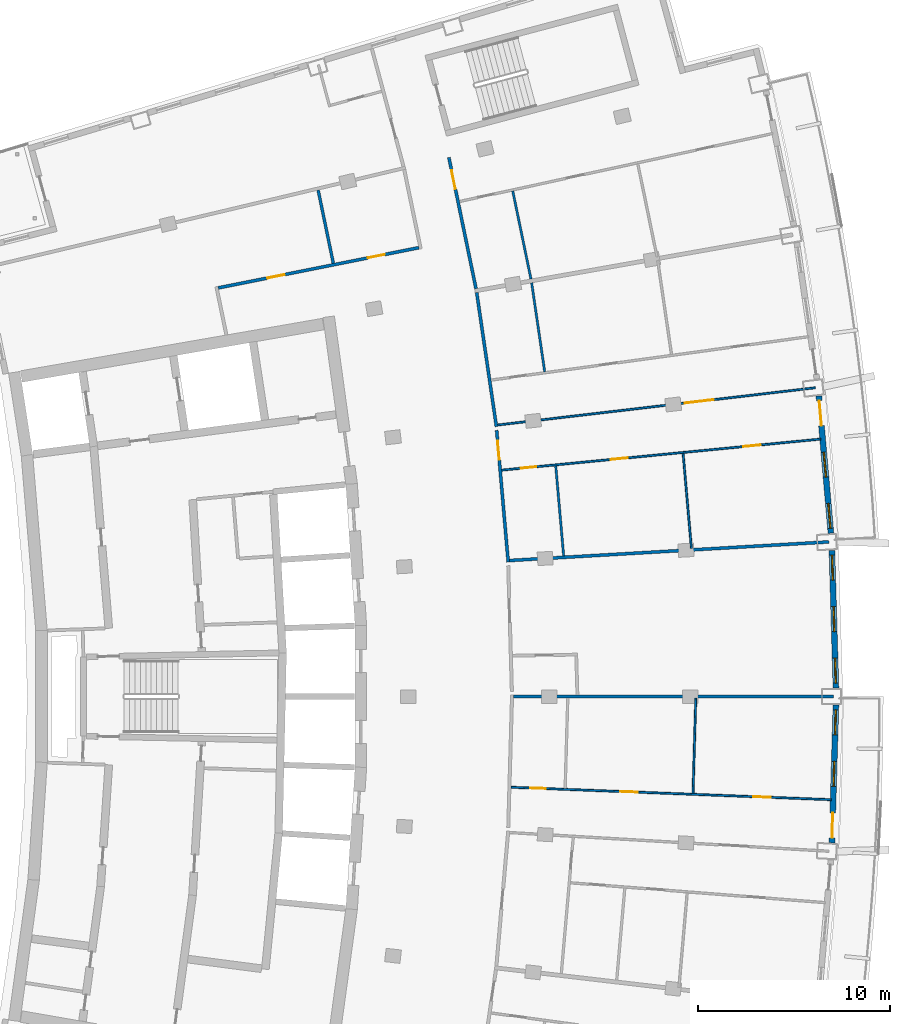
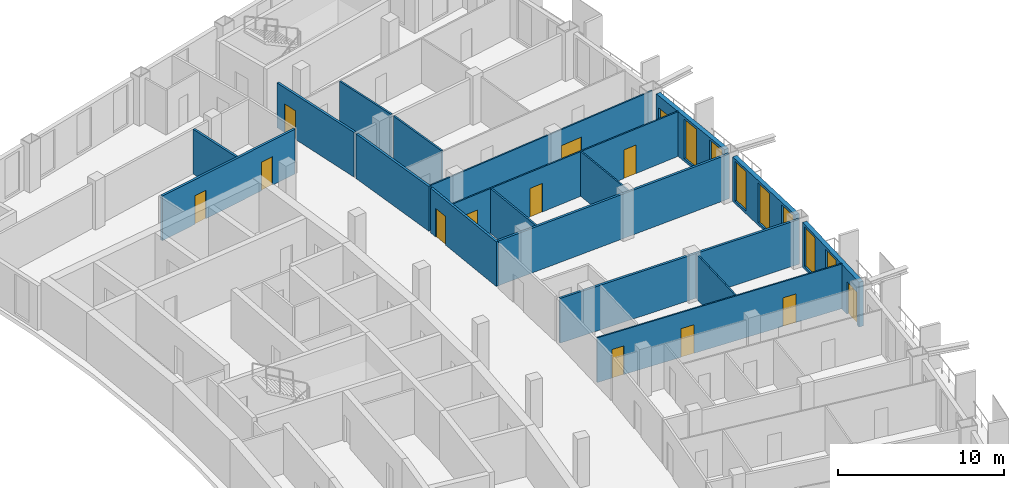
# One storey, part 13 of 17: 18 walls, 13 doors, 7 windows, 20 openings.
"""IFC4 building model written with IfcOpenShell, lengths in metres."""

from ifc_helpers import new_model, si_unit, direction, frame, frame_2d, origin, place, context, subcontext, project, spatial, rectangle, extrude, material, layer, layer_set, type_object, element, fill, save


model = new_model("IFC4")

# Units and contexts
model_context = context("Model", 3, precision=1e-05, world=origin(), true_north=direction((0.0, 1.0)))
body_context = subcontext(model_context, "Body", "Model", "MODEL_VIEW")
ifc_project = project(units=[si_unit("LENGTHUNIT", "METRE"), si_unit("AREAUNIT", "SQUARE_METRE"), si_unit("VOLUMEUNIT", "CUBIC_METRE"), si_unit("PLANEANGLEUNIT", "RADIAN"), si_unit("MASSUNIT", "GRAM", prefix="KILO")], contexts=[model_context])

# Site, building, storey
site_placement = place(None, origin())
site = spatial("IfcSite", under=ifc_project, at=site_placement, CompositionType="ELEMENT")
building_placement = place(site_placement, origin())
building = spatial("IfcBuilding", under=site, at=building_placement, Name="Alderwake Tower", CompositionType="ELEMENT")
storey_placement = place(building_placement, frame((0.0, 0.0, 214.39990234375)))
storey = spatial("IfcBuildingStorey", under=building, at=storey_placement, Name="L53", CompositionType="ELEMENT", Elevation=214.39990234375)

# Wall, openings, doors
ifc_material_1 = material(Name="Gypsum board on metal studs, rated")
ifc_layer_1 = layer(ifc_material_1, 0.159912109375)
ifc_layer_set_1 = layer_set([ifc_layer_1], Name="Corridor wall 160")
wall_type_1 = type_object("IfcWallType", Name="Corridor wall 160", PredefinedType="PARTITIONING", material=ifc_layer_set_1)
wall_1_placement = place(storey_placement, frame((25.926513671875, 82.24267578125, 0.0), z_axis=(0.0, 0.0, 1.0), x_axis=(0.98046310274, 0.196703086316, 0.0)))
wall_1 = element("IfcWall", 1, at=wall_1_placement, inside=storey, type_object=wall_type_1, Name="WL/L53/W17", PredefinedType="PARTITIONING", context=body_context, shape_type="SweptSolid", body=[
    extrude(rectangle(XDim=10.637939453125, YDim=0.159912109375, at=frame_2d((5.31884765625, 0.0))), origin(), (0.0, 0.0, 1.0), 3.280029296875),
])
opening_1_placement = place(wall_1_placement, frame((2.609130859375, 0.0, 0.0)))
opening_1 = element("IfcOpeningElement", 2, at=opening_1_placement, cuts=wall_1, Name="Opening R15-SBN1", PredefinedType="OPENING", context=body_context, shape_type="SweptSolid", body=[
    extrude(rectangle(XDim=0.89990234375, YDim=2.10009765625, at=frame_2d((0.449951171875, 1.050048828125))), frame((0.0, 0.08984375, 0.0), z_axis=(0.0, -1.0, 0.0), x_axis=(1.0, 0.0, 0.0)), (0.0, 0.0, 1.0), 0.179931640625),
])
opening_2_placement = place(wall_1_placement, frame((7.927978515625, 0.0, 0.0)))
opening_2 = element("IfcOpeningElement", 3, at=opening_2_placement, cuts=wall_1, Name="Opening R15-SBN2", PredefinedType="OPENING", context=body_context, shape_type="SweptSolid", body=[
    extrude(rectangle(XDim=0.89990234375, YDim=2.10009765625, at=frame_2d((0.449951171875, 1.050048828125))), frame((0.0, 0.08984375, 0.0), z_axis=(0.0, -1.0, 0.0), x_axis=(1.0, 0.0, 0.0)), (0.0, 0.0, 1.0), 0.179931640625),
])
ifc_material_2 = material(Name="Painted timber leaf", Category="wood")
door_type_1 = type_object("IfcDoorType", Name="Room door 900", OperationType="SINGLE_SWING_LEFT", PredefinedType="DOOR", material=ifc_material_2)
door_1_placement = place(opening_1_placement, origin())
door_1 = element("IfcDoor", 4, at=door_1_placement, inside=storey, type_object=door_type_1, Name="DR/L53/SBN1", OperationType="SINGLE_SWING_LEFT", OverallHeight=2.10009765625, OverallWidth=0.89990234375, PredefinedType="DOOR", context=body_context, shape_type="SweptSolid", body=[
    extrude(rectangle(XDim=0.89990234375, YDim=2.10009765625, at=frame_2d((0.449951171875, 1.050048828125))), frame((0.0, 0.02490234375, 0.0), z_axis=(0.0, -1.0, 0.0), x_axis=(1.0, 0.0, 0.0)), (0.0, 0.0, 1.0), 0.050048828125),
])
fill(opening_1, door_1)
door_2_placement = place(opening_2_placement, origin())
door_2 = element("IfcDoor", 5, at=door_2_placement, inside=storey, type_object=door_type_1, Name="DR/L53/SBN2", OperationType="SINGLE_SWING_LEFT", OverallHeight=2.10009765625, OverallWidth=0.89990234375, PredefinedType="DOOR", context=body_context, shape_type="SweptSolid", body=[
    extrude(rectangle(XDim=0.89990234375, YDim=2.10009765625, at=frame_2d((0.449951171875, 1.050048828125))), frame((0.0, 0.02490234375, 0.0), z_axis=(0.0, -1.0, 0.0), x_axis=(1.0, 0.0, 0.0)), (0.0, 0.0, 1.0), 0.050048828125),
])
fill(opening_2, door_2)

# Wall, opening, door
wall_2_placement = place(storey_placement, frame((37.9169921875, 89.02490234375, 0.0), z_axis=(0.0, 0.0, 1.0), x_axis=(0.202416809878, -0.97929946139, 0.0)))
wall_2 = element("IfcWall", 6, at=wall_2_placement, inside=storey, type_object=wall_type_1, Name="WL/L53/W20", PredefinedType="PARTITIONING", context=body_context, shape_type="SweptSolid", body=[
    extrude(rectangle(XDim=6.97021484375, YDim=0.159912109375, at=frame_2d((3.485107421875, 0.0))), origin(), (0.0, 0.0, 1.0), 3.280029296875),
])
opening_3_placement = place(wall_2_placement, frame((0.6787109375, 0.0, 0.0)))
opening_3 = element("IfcOpeningElement", 7, at=opening_3_placement, cuts=wall_2, Name="Opening R15-U07.2", PredefinedType="OPENING", context=body_context, shape_type="SweptSolid", body=[
    extrude(rectangle(XDim=1.0, YDim=2.10009765625, at=frame_2d((0.5, 1.050048828125))), frame((0.0, 0.08984375, 0.0), z_axis=(0.0, -1.0, 0.0), x_axis=(1.0, 0.0, 0.0)), (0.0, 0.0, 1.0), 0.179931640625),
])
ifc_material_3 = material(Name="Solid timber leaf in steel frame", Category="steel")
door_type_2 = type_object("IfcDoorType", Name="Flat entrance door 1000 fire-rated", OperationType="SINGLE_SWING_LEFT", PredefinedType="DOOR", material=ifc_material_3)
door_3_placement = place(opening_3_placement, origin())
door_3 = element("IfcDoor", 8, at=door_3_placement, inside=storey, type_object=door_type_2, Name="DR/L53/U07.2", OperationType="SINGLE_SWING_LEFT", OverallHeight=2.10009765625, OverallWidth=1.0, PredefinedType="DOOR", context=body_context, shape_type="SweptSolid", body=[
    extrude(rectangle(XDim=1.0, YDim=2.10009765625, at=frame_2d((0.5, 1.050048828125))), frame((0.0, 0.02490234375, 0.0), z_axis=(0.0, -1.0, 0.0), x_axis=(1.0, 0.0, 0.0)), (0.0, 0.0, 1.0), 0.050048828125),
])
fill(opening_3, door_3)

# Wall
wall_3_placement = place(storey_placement, frame((40.388671875, 75.02880859375, 0.0), z_axis=(0.0, 0.0, 1.0), x_axis=(-0.145585733575, 0.98934563939, 0.0)))
element("IfcWall", 9, at=wall_3_placement, inside=storey, type_object=wall_type_1, Name="WL/L53/W22", PredefinedType="PARTITIONING", context=body_context, shape_type="SweptSolid", body=[
    extrude(rectangle(XDim=7.04833984375, YDim=0.159912109375, at=frame_2d((3.524169921875, 0.0))), origin(), (0.0, 0.0, 1.0), 3.280029296875),
])

# Wall, opening, door
wall_4_placement = place(storey_placement, frame((40.400390625, 74.84228515625, 0.0), z_axis=(0.0, 0.0, 1.0), x_axis=(0.087419573149, -0.996171580718, 0.0)))
wall_4 = element("IfcWall", 10, at=wall_4_placement, inside=storey, type_object=wall_type_1, Name="WL/L53/W24", PredefinedType="PARTITIONING", context=body_context, shape_type="SweptSolid", body=[
    extrude(rectangle(XDim=6.88134765625, YDim=0.159912109375, at=frame_2d((3.440673828125, 0.0))), origin(), (0.0, 0.0, 1.0), 3.280029296875),
])
opening_4_placement = place(wall_4_placement, frame((0.544921875, 0.0, 0.0)))
opening_4 = element("IfcOpeningElement", 11, at=opening_4_placement, cuts=wall_4, Name="Opening R15-U06.2", PredefinedType="OPENING", context=body_context, shape_type="SweptSolid", body=[
    extrude(rectangle(XDim=1.0, YDim=2.10009765625, at=frame_2d((0.5, 1.050048828125))), frame((0.0, 0.08984375, 0.0), z_axis=(0.0, -1.0, 0.0), x_axis=(1.0, 0.0, 0.0)), (0.0, 0.0, 1.0), 0.179931640625),
])
door_4_placement = place(opening_4_placement, origin())
door_4 = element("IfcDoor", 12, at=door_4_placement, inside=storey, type_object=door_type_2, Name="DR/L53/U06.2", OperationType="SINGLE_SWING_LEFT", OverallHeight=2.10009765625, OverallWidth=1.0, PredefinedType="DOOR", context=body_context, shape_type="SweptSolid", body=[
    extrude(rectangle(XDim=1.0, YDim=2.10009765625, at=frame_2d((0.5, 1.050048828125))), frame((0.0, 0.02490234375, 0.0), z_axis=(0.0, -1.0, 0.0), x_axis=(1.0, 0.0, 0.0)), (0.0, 0.0, 1.0), 0.050048828125),
])
fill(opening_4, door_4)

# Walls
wall_5_placement = place(storey_placement, frame((57.666015625, 69.0390625, 0.0), z_axis=(0.0, 0.0, 1.0), x_axis=(-0.998304783691, -0.058202739276, 0.0)))
element("IfcWall", 13, at=wall_5_placement, inside=storey, type_object=wall_type_1, Name="WL/L53/W26", PredefinedType="PARTITIONING", context=body_context, shape_type="SweptSolid", body=[
    extrude(rectangle(XDim=16.619140625, YDim=0.159912109375, at=frame_2d((8.3095703125, 0.0))), origin(), (0.0, 0.0, 1.0), 3.280029296875),
])
wall_6_placement = place(storey_placement, frame((57.89990234375, 60.9990234375, 0.0), z_axis=(0.0, 0.0, 1.0), x_axis=(-1.0, 0.0, 0.0)))
element("IfcWall", 14, at=wall_6_placement, inside=storey, type_object=wall_type_1, Name="WL/L53/W27", PredefinedType="PARTITIONING", context=body_context, shape_type="SweptSolid", body=[
    extrude(rectangle(XDim=16.620849609375, YDim=0.159912109375, at=frame_2d((8.310546875, 0.0))), origin(), (0.0, 0.0, 1.0), 3.280029296875),
])

# Wall, openings, door, windows
ifc_material_4 = material(Name="Precast concrete C50/60 spandrel panel", Category="concrete")
ifc_layer_2 = layer(ifc_material_4, 0.300048828125)
ifc_layer_set_2 = layer_set([ifc_layer_2], Name="External wall EW1 Precast concrete C50/60 spandrel")
wall_type_2 = type_object("IfcWallType", Name="External wall EW1 Precast concrete C50/60 spandrel", PredefinedType="SOLIDWALL", material=ifc_layer_set_2)
wall_7_placement = place(storey_placement, frame((57.828125, 53.39892578125, 0.0), z_axis=(0.0, 0.0, 1.0), x_axis=(0.029166481993, 0.999574567668, 0.0)))
wall_7 = element("IfcWall", 15, at=wall_7_placement, inside=storey, type_object=wall_type_2, Name="External wall 15", PredefinedType="SOLIDWALL", context=body_context, shape_type="SweptSolid", body=[
    extrude(rectangle(XDim=7.15673828125, YDim=0.300048828125, at=frame_2d((3.578369140625, 0.0))), origin(), (0.0, 0.0, 1.0), 3.280029296875),
])
opening_5_placement = place(wall_7_placement, frame((0.24951171875, 0.0, 0.0)))
opening_5 = element("IfcOpeningElement", 16, at=opening_5_placement, cuts=wall_7, Name="Opening D05", PredefinedType="OPENING", context=body_context, shape_type="SweptSolid", body=[
    extrude(rectangle(XDim=1.300048828125, YDim=2.39990234375, at=frame_2d((0.64990234375, 1.199951171875))), frame((0.0, 0.159912109375, 0.0), z_axis=(0.0, -1.0, 0.0), x_axis=(1.0, 0.0, 0.0)), (0.0, 0.0, 1.0), 0.320068359375),
])
opening_6_placement = place(wall_7_placement, frame((2.928466796875, 0.0, 0.199951171875)))
opening_6 = element("IfcOpeningElement", 17, at=opening_6_placement, cuts=wall_7, Name="Opening W1", PredefinedType="OPENING", context=body_context, shape_type="SweptSolid", body=[
    extrude(rectangle(XDim=1.300048828125, YDim=2.89990234375, at=frame_2d((0.64990234375, 1.449951171875))), frame((0.0, 0.159912109375, 0.0), z_axis=(0.0, -1.0, 0.0), x_axis=(1.0, 0.0, 0.0)), (0.0, 0.0, 1.0), 0.320068359375),
])
opening_7_placement = place(wall_7_placement, frame((5.607666015625, 0.0, 0.199951171875)))
opening_7 = element("IfcOpeningElement", 18, at=opening_7_placement, cuts=wall_7, Name="Opening W1", PredefinedType="OPENING", context=body_context, shape_type="SweptSolid", body=[
    extrude(rectangle(XDim=1.300048828125, YDim=2.89990234375, at=frame_2d((0.64990234375, 1.449951171875))), frame((0.0, 0.159912109375, 0.0), z_axis=(0.0, -1.0, 0.0), x_axis=(1.0, 0.0, 0.0)), (0.0, 0.0, 1.0), 0.320068359375),
])
ifc_material_5 = material(Name="Bronze tinted glass in aluminium frame", Category="aluminium")
door_type_3 = type_object("IfcDoorType", Name="Balcony door BD sliding", OperationType="SLIDING_TO_LEFT", PredefinedType="DOOR", material=ifc_material_5)
door_5_placement = place(opening_5_placement, origin())
door_5 = element("IfcDoor", 19, at=door_5_placement, inside=storey, type_object=door_type_3, Name="Door D05", OperationType="SLIDING_TO_LEFT", OverallHeight=2.39990234375, OverallWidth=1.300048828125, PredefinedType="DOOR", context=body_context, shape_type="SweptSolid", body=[
    extrude(rectangle(XDim=1.300048828125, YDim=2.39990234375, at=frame_2d((0.64990234375, 1.199951171875))), frame((0.0, 0.02490234375, 0.0), z_axis=(0.0, -1.0, 0.0), x_axis=(1.0, 0.0, 0.0)), (0.0, 0.0, 1.0), 0.050048828125),
])
fill(opening_5, door_5)
ifc_material_6 = material(Name="Bronze tinted glass in aluminium frame", Category="aluminium")
window_type = type_object("IfcWindowType", Name="Window W1 tall fixed and vent", PartitioningType="DOUBLE_PANEL_VERTICAL", PredefinedType="WINDOW", material=ifc_material_6)
window_1_placement = place(opening_6_placement, origin())
window_1 = element("IfcWindow", 20, at=window_1_placement, inside=storey, type_object=window_type, Name="Window W1 tall fixed and vent", OverallHeight=2.89990234375, OverallWidth=1.300048828125, PartitioningType="DOUBLE_PANEL_VERTICAL", PredefinedType="WINDOW", context=body_context, shape_type="SweptSolid", body=[
    extrude(rectangle(XDim=1.300048828125, YDim=2.89990234375, at=frame_2d((0.64990234375, 1.449951171875))), frame((0.0, 0.030029296875, 0.0), z_axis=(0.0, -1.0, 0.0), x_axis=(1.0, 0.0, 0.0)), (0.0, 0.0, 1.0), 0.06005859375),
])
fill(opening_6, window_1)
window_2_placement = place(opening_7_placement, origin())
window_2 = element("IfcWindow", 21, at=window_2_placement, inside=storey, type_object=window_type, Name="Window W1 tall fixed and vent", OverallHeight=2.89990234375, OverallWidth=1.300048828125, PartitioningType="DOUBLE_PANEL_VERTICAL", PredefinedType="WINDOW", context=body_context, shape_type="SweptSolid", body=[
    extrude(rectangle(XDim=1.300048828125, YDim=2.89990234375, at=frame_2d((0.64990234375, 1.449951171875))), frame((0.0, 0.030029296875, 0.0), z_axis=(0.0, -1.0, 0.0), x_axis=(1.0, 0.0, 0.0)), (0.0, 0.0, 1.0), 0.06005859375),
])
fill(opening_7, window_2)

# Wall, openings, windows
wall_8_placement = place(storey_placement, frame((58.036865234375, 61.447265625, 0.0), z_axis=(0.0, 0.0, 1.0), x_axis=(-0.029166481993, 0.999574567668, 0.0)))
wall_8 = element("IfcWall", 22, at=wall_8_placement, inside=storey, type_object=wall_type_2, Name="External wall 16", PredefinedType="SOLIDWALL", context=body_context, shape_type="SweptSolid", body=[
    extrude(rectangle(XDim=7.15673828125, YDim=0.300048828125, at=frame_2d((3.578369140625, 0.0))), origin(), (0.0, 0.0, 1.0), 3.280029296875),
])
opening_8_placement = place(wall_8_placement, frame((0.24951171875, 0.0, 0.199951171875)))
opening_8 = element("IfcOpeningElement", 23, at=opening_8_placement, cuts=wall_8, Name="Opening W1", PredefinedType="OPENING", context=body_context, shape_type="SweptSolid", body=[
    extrude(rectangle(XDim=1.300048828125, YDim=2.89990234375, at=frame_2d((0.64990234375, 1.449951171875))), frame((0.0, 0.159912109375, 0.0), z_axis=(0.0, -1.0, 0.0), x_axis=(1.0, 0.0, 0.0)), (0.0, 0.0, 1.0), 0.320068359375),
])
opening_9_placement = place(wall_8_placement, frame((2.928466796875, 0.0, 0.199951171875)))
opening_9 = element("IfcOpeningElement", 24, at=opening_9_placement, cuts=wall_8, Name="Opening W1", PredefinedType="OPENING", context=body_context, shape_type="SweptSolid", body=[
    extrude(rectangle(XDim=1.300048828125, YDim=2.89990234375, at=frame_2d((0.64990234375, 1.449951171875))), frame((0.0, 0.159912109375, 0.0), z_axis=(0.0, -1.0, 0.0), x_axis=(1.0, 0.0, 0.0)), (0.0, 0.0, 1.0), 0.320068359375),
])
opening_10_placement = place(wall_8_placement, frame((5.607666015625, 0.0, 0.199951171875)))
opening_10 = element("IfcOpeningElement", 25, at=opening_10_placement, cuts=wall_8, Name="Opening W1", PredefinedType="OPENING", context=body_context, shape_type="SweptSolid", body=[
    extrude(rectangle(XDim=1.300048828125, YDim=2.89990234375, at=frame_2d((0.64990234375, 1.449951171875))), frame((0.0, 0.159912109375, 0.0), z_axis=(0.0, -1.0, 0.0), x_axis=(1.0, 0.0, 0.0)), (0.0, 0.0, 1.0), 0.320068359375),
])
window_3_placement = place(opening_8_placement, origin())
window_3 = element("IfcWindow", 26, at=window_3_placement, inside=storey, type_object=window_type, Name="Window W1 tall fixed and vent", OverallHeight=2.89990234375, OverallWidth=1.300048828125, PartitioningType="DOUBLE_PANEL_VERTICAL", PredefinedType="WINDOW", context=body_context, shape_type="SweptSolid", body=[
    extrude(rectangle(XDim=1.300048828125, YDim=2.89990234375, at=frame_2d((0.64990234375, 1.449951171875))), frame((0.0, 0.030029296875, 0.0), z_axis=(0.0, -1.0, 0.0), x_axis=(1.0, 0.0, 0.0)), (0.0, 0.0, 1.0), 0.06005859375),
])
fill(opening_8, window_3)
window_4_placement = place(opening_9_placement, origin())
window_4 = element("IfcWindow", 27, at=window_4_placement, inside=storey, type_object=window_type, Name="Window W1 tall fixed and vent", OverallHeight=2.89990234375, OverallWidth=1.300048828125, PartitioningType="DOUBLE_PANEL_VERTICAL", PredefinedType="WINDOW", context=body_context, shape_type="SweptSolid", body=[
    extrude(rectangle(XDim=1.300048828125, YDim=2.89990234375, at=frame_2d((0.64990234375, 1.449951171875))), frame((0.0, 0.030029296875, 0.0), z_axis=(0.0, -1.0, 0.0), x_axis=(1.0, 0.0, 0.0)), (0.0, 0.0, 1.0), 0.06005859375),
])
fill(opening_9, window_4)
window_5_placement = place(opening_10_placement, origin())
window_5 = element("IfcWindow", 28, at=window_5_placement, inside=storey, type_object=window_type, Name="Window W1 tall fixed and vent", OverallHeight=2.89990234375, OverallWidth=1.300048828125, PartitioningType="DOUBLE_PANEL_VERTICAL", PredefinedType="WINDOW", context=body_context, shape_type="SweptSolid", body=[
    extrude(rectangle(XDim=1.300048828125, YDim=2.89990234375, at=frame_2d((0.64990234375, 1.449951171875))), frame((0.0, 0.030029296875, 0.0), z_axis=(0.0, -1.0, 0.0), x_axis=(1.0, 0.0, 0.0)), (0.0, 0.0, 1.0), 0.06005859375),
])
fill(opening_10, window_5)

# Wall, openings, door, windows
wall_9_placement = place(storey_placement, frame((57.776123046875, 69.494140625, 0.0), z_axis=(0.0, 0.0, 1.0), x_axis=(-0.087398001478, 0.996173473516, 0.0)))
wall_9 = element("IfcWall", 29, at=wall_9_placement, inside=storey, type_object=wall_type_2, Name="External wall 17", PredefinedType="SOLIDWALL", context=body_context, shape_type="SweptSolid", body=[
    extrude(rectangle(XDim=7.15673828125, YDim=0.300048828125, at=frame_2d((3.578369140625, 0.0))), origin(), (0.0, 0.0, 1.0), 3.280029296875),
])
opening_11_placement = place(wall_9_placement, frame((0.24951171875, 0.0, 0.199951171875)))
opening_11 = element("IfcOpeningElement", 30, at=opening_11_placement, cuts=wall_9, Name="Opening W1", PredefinedType="OPENING", context=body_context, shape_type="SweptSolid", body=[
    extrude(rectangle(XDim=1.300048828125, YDim=2.89990234375, at=frame_2d((0.64990234375, 1.449951171875))), frame((0.0, 0.159912109375, 0.0), z_axis=(0.0, -1.0, 0.0), x_axis=(1.0, 0.0, 0.0)), (0.0, 0.0, 1.0), 0.320068359375),
])
opening_12_placement = place(wall_9_placement, frame((2.928466796875, 0.0, 0.199951171875)))
opening_12 = element("IfcOpeningElement", 31, at=opening_12_placement, cuts=wall_9, Name="Opening W1", PredefinedType="OPENING", context=body_context, shape_type="SweptSolid", body=[
    extrude(rectangle(XDim=1.300048828125, YDim=2.89990234375, at=frame_2d((0.64990234375, 1.449951171875))), frame((0.0, 0.159912109375, 0.0), z_axis=(0.0, -1.0, 0.0), x_axis=(1.0, 0.0, 0.0)), (0.0, 0.0, 1.0), 0.320068359375),
])
opening_13_placement = place(wall_9_placement, frame((5.607421875, 0.0, 0.0)))
opening_13 = element("IfcOpeningElement", 32, at=opening_13_placement, cuts=wall_9, Name="Opening D06", PredefinedType="OPENING", context=body_context, shape_type="SweptSolid", body=[
    extrude(rectangle(XDim=1.300048828125, YDim=2.39990234375, at=frame_2d((0.64990234375, 1.199951171875))), frame((0.0, 0.159912109375, 0.0), z_axis=(0.0, -1.0, 0.0), x_axis=(1.0, 0.0, 0.0)), (0.0, 0.0, 1.0), 0.320068359375),
])
door_6_placement = place(opening_13_placement, origin())
door_6 = element("IfcDoor", 33, at=door_6_placement, inside=storey, type_object=door_type_3, Name="Door D06", OperationType="SLIDING_TO_LEFT", OverallHeight=2.39990234375, OverallWidth=1.300048828125, PredefinedType="DOOR", context=body_context, shape_type="SweptSolid", body=[
    extrude(rectangle(XDim=1.300048828125, YDim=2.39990234375, at=frame_2d((0.64990234375, 1.199951171875))), frame((0.0, 0.02490234375, 0.0), z_axis=(0.0, -1.0, 0.0), x_axis=(1.0, 0.0, 0.0)), (0.0, 0.0, 1.0), 0.050048828125),
])
fill(opening_13, door_6)
window_6_placement = place(opening_11_placement, origin())
window_6 = element("IfcWindow", 34, at=window_6_placement, inside=storey, type_object=window_type, Name="Window W1 tall fixed and vent", OverallHeight=2.89990234375, OverallWidth=1.300048828125, PartitioningType="DOUBLE_PANEL_VERTICAL", PredefinedType="WINDOW", context=body_context, shape_type="SweptSolid", body=[
    extrude(rectangle(XDim=1.300048828125, YDim=2.89990234375, at=frame_2d((0.64990234375, 1.449951171875))), frame((0.0, 0.030029296875, 0.0), z_axis=(0.0, -1.0, 0.0), x_axis=(1.0, 0.0, 0.0)), (0.0, 0.0, 1.0), 0.06005859375),
])
fill(opening_11, window_6)
window_7_placement = place(opening_12_placement, origin())
window_7 = element("IfcWindow", 35, at=window_7_placement, inside=storey, type_object=window_type, Name="Window W1 tall fixed and vent", OverallHeight=2.89990234375, OverallWidth=1.300048828125, PartitioningType="DOUBLE_PANEL_VERTICAL", PredefinedType="WINDOW", context=body_context, shape_type="SweptSolid", body=[
    extrude(rectangle(XDim=1.300048828125, YDim=2.89990234375, at=frame_2d((0.64990234375, 1.449951171875))), frame((0.0, 0.030029296875, 0.0), z_axis=(0.0, -1.0, 0.0), x_axis=(1.0, 0.0, 0.0)), (0.0, 0.0, 1.0), 0.06005859375),
])
fill(opening_12, window_7)

# Wall
ifc_material_7 = material(Name="Gypsum shaft wall system, rated")
ifc_layer_3 = layer(ifc_material_7, 0.14990234375)
ifc_layer_set_3 = layer_set([ifc_layer_3], Name="Riser and shaft wall 150")
wall_type_3 = type_object("IfcWallType", Name="Riser and shaft wall 150", PredefinedType="PARTITIONING", material=ifc_layer_set_3)
wall_10_placement = place(storey_placement, frame((31.90966796875, 83.523193359375, 0.0), z_axis=(0.0, 0.0, 1.0), x_axis=(-0.203193719272, 0.979138556308, 0.0)))
element("IfcWall", 36, at=wall_10_placement, inside=storey, type_object=wall_type_3, Name="WL/L53/W05", PredefinedType="PARTITIONING", context=body_context, shape_type="SweptSolid", body=[
    extrude(rectangle(XDim=3.884521484375, YDim=0.14990234375, at=frame_2d((1.9423828125, 0.0))), origin(), (0.0, 0.0, 1.0), 3.280029296875),
])

# Wall, openings, doors
ifc_material_8 = material(Name="Gypsum board on metal studs")
ifc_layer_4 = layer(ifc_material_8, 0.10009765625)
ifc_layer_set_4 = layer_set([ifc_layer_4], Name="Unit partition 100")
wall_type_4 = type_object("IfcWallType", Name="Unit partition 100", PredefinedType="PARTITIONING", material=ifc_layer_set_4)
wall_11_placement = place(storey_placement, frame((57.24609375, 74.385009765625, 0.0), z_axis=(0.0, 0.0, 1.0), x_axis=(-0.995291195523, -0.096930057844, 0.0)))
wall_11 = element("IfcWall", 37, at=wall_11_placement, inside=storey, type_object=wall_type_4, Name="WL/L53/W44", PredefinedType="PARTITIONING", context=body_context, shape_type="SweptSolid", body=[
    extrude(rectangle(XDim=16.663818359375, YDim=0.10009765625, at=frame_2d((8.33203125, 0.0))), origin(), (0.0, 0.0, 1.0), 3.280029296875),
])
opening_14_placement = place(wall_11_placement, frame((10.068115234375, 0.0, 0.0)))
opening_14 = element("IfcOpeningElement", 38, at=opening_14_placement, cuts=wall_11, Name="Opening R15-U06.1", PredefinedType="OPENING", context=body_context, shape_type="SweptSolid", body=[
    extrude(rectangle(XDim=0.89990234375, YDim=2.10009765625, at=frame_2d((0.449951171875, 1.050048828125))), frame((0.0, 0.06005859375, 0.0), z_axis=(0.0, -1.0, 0.0), x_axis=(1.0, 0.0, 0.0)), (0.0, 0.0, 1.0), 0.1201171875),
])
opening_15_placement = place(wall_11_placement, frame((14.85400390625, 0.0, 0.0)))
opening_15 = element("IfcOpeningElement", 39, at=opening_15_placement, cuts=wall_11, Name="Opening R15-U06.3", PredefinedType="OPENING", context=body_context, shape_type="SweptSolid", body=[
    extrude(rectangle(XDim=0.800048828125, YDim=2.10009765625, at=frame_2d((0.39990234375, 1.050048828125))), frame((0.0, 0.06005859375, 0.0), z_axis=(0.0, -1.0, 0.0), x_axis=(1.0, 0.0, 0.0)), (0.0, 0.0, 1.0), 0.1201171875),
])
opening_16_placement = place(wall_11_placement, frame((3.146240234375, 0.0, 0.0)))
opening_16 = element("IfcOpeningElement", 40, at=opening_16_placement, cuts=wall_11, Name="Opening R15-U06.4", PredefinedType="OPENING", context=body_context, shape_type="SweptSolid", body=[
    extrude(rectangle(XDim=0.89990234375, YDim=2.10009765625, at=frame_2d((0.449951171875, 1.050048828125))), frame((0.0, 0.06005859375, 0.0), z_axis=(0.0, -1.0, 0.0), x_axis=(1.0, 0.0, 0.0)), (0.0, 0.0, 1.0), 0.1201171875),
])
ifc_material_9 = material(Name="Painted timber leaf", Category="wood")
door_type_4 = type_object("IfcDoorType", Name="Bathroom door 800", OperationType="SINGLE_SWING_LEFT", PredefinedType="DOOR", material=ifc_material_9)
door_7_placement = place(opening_15_placement, origin())
door_7 = element("IfcDoor", 41, at=door_7_placement, inside=storey, type_object=door_type_4, Name="DR/L53/U06.3", OperationType="SINGLE_SWING_LEFT", OverallHeight=2.10009765625, OverallWidth=0.800048828125, PredefinedType="DOOR", context=body_context, shape_type="SweptSolid", body=[
    extrude(rectangle(XDim=0.800048828125, YDim=2.10009765625, at=frame_2d((0.39990234375, 1.050048828125))), frame((0.0, 0.02490234375, 0.0), z_axis=(0.0, -1.0, 0.0), x_axis=(1.0, 0.0, 0.0)), (0.0, 0.0, 1.0), 0.050048828125),
])
fill(opening_15, door_7)
door_8_placement = place(opening_14_placement, origin())
door_8 = element("IfcDoor", 42, at=door_8_placement, inside=storey, type_object=door_type_1, Name="DR/L53/U06.1", OperationType="SINGLE_SWING_LEFT", OverallHeight=2.10009765625, OverallWidth=0.89990234375, PredefinedType="DOOR", context=body_context, shape_type="SweptSolid", body=[
    extrude(rectangle(XDim=0.89990234375, YDim=2.10009765625, at=frame_2d((0.449951171875, 1.050048828125))), frame((0.0, 0.02490234375, 0.0), z_axis=(0.0, -1.0, 0.0), x_axis=(1.0, 0.0, 0.0)), (0.0, 0.0, 1.0), 0.050048828125),
])
fill(opening_14, door_8)
door_9_placement = place(opening_16_placement, origin())
door_9 = element("IfcDoor", 43, at=door_9_placement, inside=storey, type_object=door_type_1, Name="DR/L53/U06.4", OperationType="SINGLE_SWING_LEFT", OverallHeight=2.10009765625, OverallWidth=0.89990234375, PredefinedType="DOOR", context=body_context, shape_type="SweptSolid", body=[
    extrude(rectangle(XDim=0.89990234375, YDim=2.10009765625, at=frame_2d((0.449951171875, 1.050048828125))), frame((0.0, 0.02490234375, 0.0), z_axis=(0.0, -1.0, 0.0), x_axis=(1.0, 0.0, 0.0)), (0.0, 0.0, 1.0), 0.050048828125),
])
fill(opening_16, door_9)

wall_12_placement = place(storey_placement, frame((41.143798828125, 56.285888671875, 0.0), z_axis=(0.0, 0.0, 1.0), x_axis=(0.999243472583, -0.038890647978, 0.0)))
wall_12 = element("IfcWall", 44, at=wall_12_placement, inside=storey, type_object=wall_type_4, Name="WL/L53/W46", PredefinedType="PARTITIONING", context=body_context, shape_type="SweptSolid", body=[
    extrude(rectangle(XDim=16.660888671875, YDim=0.10009765625, at=frame_2d((8.33056640625, 0.0))), origin(), (0.0, 0.0, 1.0), 3.280029296875),
])
opening_17_placement = place(wall_12_placement, frame((5.693359375, 0.0, 0.0)))
opening_17 = element("IfcOpeningElement", 45, at=opening_17_placement, cuts=wall_12, Name="Opening R15-U05.6", PredefinedType="OPENING", context=body_context, shape_type="SweptSolid", body=[
    extrude(rectangle(XDim=0.89990234375, YDim=2.10009765625, at=frame_2d((0.449951171875, 1.050048828125))), frame((0.0, 0.06005859375, 0.0), z_axis=(0.0, -1.0, 0.0), x_axis=(1.0, 0.0, 0.0)), (0.0, 0.0, 1.0), 0.1201171875),
])
opening_18_placement = place(wall_12_placement, frame((1.0087890625, 0.0, 0.0)))
opening_18 = element("IfcOpeningElement", 46, at=opening_18_placement, cuts=wall_12, Name="Opening R15-U05.7", PredefinedType="OPENING", context=body_context, shape_type="SweptSolid", body=[
    extrude(rectangle(XDim=0.800048828125, YDim=2.10009765625, at=frame_2d((0.39990234375, 1.050048828125))), frame((0.0, 0.06005859375, 0.0), z_axis=(0.0, -1.0, 0.0), x_axis=(1.0, 0.0, 0.0)), (0.0, 0.0, 1.0), 0.1201171875),
])
opening_19_placement = place(wall_12_placement, frame((12.614990234375, 0.0, 0.0)))
opening_19 = element("IfcOpeningElement", 47, at=opening_19_placement, cuts=wall_12, Name="Opening R15-U05.8", PredefinedType="OPENING", context=body_context, shape_type="SweptSolid", body=[
    extrude(rectangle(XDim=0.89990234375, YDim=2.10009765625, at=frame_2d((0.449951171875, 1.050048828125))), frame((0.0, 0.06005859375, 0.0), z_axis=(0.0, -1.0, 0.0), x_axis=(1.0, 0.0, 0.0)), (0.0, 0.0, 1.0), 0.1201171875),
])
door_10_placement = place(opening_18_placement, origin())
door_10 = element("IfcDoor", 48, at=door_10_placement, inside=storey, type_object=door_type_4, Name="DR/L53/U05.7", OperationType="SINGLE_SWING_LEFT", OverallHeight=2.10009765625, OverallWidth=0.800048828125, PredefinedType="DOOR", context=body_context, shape_type="SweptSolid", body=[
    extrude(rectangle(XDim=0.800048828125, YDim=2.10009765625, at=frame_2d((0.39990234375, 1.050048828125))), frame((0.0, 0.02490234375, 0.0), z_axis=(0.0, -1.0, 0.0), x_axis=(1.0, 0.0, 0.0)), (0.0, 0.0, 1.0), 0.050048828125),
])
fill(opening_18, door_10)
door_11_placement = place(opening_17_placement, origin())
door_11 = element("IfcDoor", 49, at=door_11_placement, inside=storey, type_object=door_type_1, Name="DR/L53/U05.6", OperationType="SINGLE_SWING_LEFT", OverallHeight=2.10009765625, OverallWidth=0.89990234375, PredefinedType="DOOR", context=body_context, shape_type="SweptSolid", body=[
    extrude(rectangle(XDim=0.89990234375, YDim=2.10009765625, at=frame_2d((0.449951171875, 1.050048828125))), frame((0.0, 0.02490234375, 0.0), z_axis=(0.0, -1.0, 0.0), x_axis=(1.0, 0.0, 0.0)), (0.0, 0.0, 1.0), 0.050048828125),
])
fill(opening_17, door_11)
door_12_placement = place(opening_19_placement, origin())
door_12 = element("IfcDoor", 50, at=door_12_placement, inside=storey, type_object=door_type_1, Name="DR/L53/U05.8", OperationType="SINGLE_SWING_LEFT", OverallHeight=2.10009765625, OverallWidth=0.89990234375, PredefinedType="DOOR", context=body_context, shape_type="SweptSolid", body=[
    extrude(rectangle(XDim=0.89990234375, YDim=2.10009765625, at=frame_2d((0.449951171875, 1.050048828125))), frame((0.0, 0.02490234375, 0.0), z_axis=(0.0, -1.0, 0.0), x_axis=(1.0, 0.0, 0.0)), (0.0, 0.0, 1.0), 0.050048828125),
])
fill(opening_19, door_12)

# Walls
wall_13_placement = place(storey_placement, frame((50.52490234375, 68.70166015625, 0.0), z_axis=(0.0, 0.0, 1.0), x_axis=(-0.087284269419, 0.99618344511, 0.0)))
element("IfcWall", 51, at=wall_13_placement, inside=storey, type_object=wall_type_4, Name="WL/L53/W53", PredefinedType="PARTITIONING", context=body_context, shape_type="SweptSolid", body=[
    extrude(rectangle(XDim=4.956298828125, YDim=0.10009765625, at=frame_2d((2.47802734375, 0.0))), origin(), (0.0, 0.0, 1.0), 3.280029296875),
])
wall_14_placement = place(storey_placement, frame((50.6083984375, 55.967041015625, 0.0), z_axis=(0.0, 0.0, 1.0), x_axis=(0.028928380061, 0.999581486837, 0.0)))
element("IfcWall", 52, at=wall_14_placement, inside=storey, type_object=wall_type_4, Name="WL/L53/W54", PredefinedType="PARTITIONING", context=body_context, shape_type="SweptSolid", body=[
    extrude(rectangle(XDim=4.953857421875, YDim=0.10009765625, at=frame_2d((2.47705078125, 0.0))), origin(), (0.0, 0.0, 1.0), 3.280029296875),
])

# Wall, opening, door
wall_15_placement = place(storey_placement, frame((40.45654296875, 75.1171875, 0.0), z_axis=(0.0, 0.0, 1.0), x_axis=(0.993201145726, 0.116410841971, 0.0)))
wall_15 = element("IfcWall", 53, at=wall_15_placement, inside=storey, type_object=wall_type_4, Name="WL/L53/W55", PredefinedType="PARTITIONING", context=body_context, shape_type="SweptSolid", body=[
    extrude(rectangle(XDim=16.62060546875, YDim=0.10009765625, at=frame_2d((8.310302734375, 0.0))), origin(), (0.0, 0.0, 1.0), 3.280029296875),
])
opening_20_placement = place(wall_15_placement, frame((9.79150390625, 0.0, 0.0)))
opening_20 = element("IfcOpeningElement", 54, at=opening_20_placement, cuts=wall_15, Name="Opening R15-U06.8", PredefinedType="OPENING", context=body_context, shape_type="SweptSolid", body=[
    extrude(rectangle(XDim=1.5, YDim=2.10009765625, at=frame_2d((0.75, 1.050048828125))), frame((0.0, 0.06005859375, 0.0), z_axis=(0.0, -1.0, 0.0), x_axis=(1.0, 0.0, 0.0)), (0.0, 0.0, 1.0), 0.1201171875),
])
ifc_material_10 = material(Name="Painted timber leaves", Category="wood")
door_type_5 = type_object("IfcDoorType", Name="Double leaf door 1500", OperationType="DOUBLE_DOOR_SINGLE_SWING", PredefinedType="DOOR", material=ifc_material_10)
door_13_placement = place(opening_20_placement, origin())
door_13 = element("IfcDoor", 55, at=door_13_placement, inside=storey, type_object=door_type_5, Name="DR/L53/U06.8", OperationType="DOUBLE_DOOR_SINGLE_SWING", OverallHeight=2.10009765625, OverallWidth=1.5, PredefinedType="DOOR", context=body_context, shape_type="SweptSolid", body=[
    extrude(rectangle(XDim=1.5, YDim=2.10009765625, at=frame_2d((0.75, 1.050048828125))), frame((0.0, 0.02490234375, 0.0), z_axis=(0.0, -1.0, 0.0), x_axis=(1.0, 0.0, 0.0)), (0.0, 0.0, 1.0), 0.050048828125),
])
fill(opening_20, door_13)

# Walls
ifc_material_11 = material(Name="Moisture resistant gypsum board on metal studs")
ifc_layer_5 = layer(ifc_material_11, 0.1201171875)
ifc_layer_set_5 = layer_set([ifc_layer_5], Name="Wet room partition 120")
wall_type_5 = type_object("IfcWallType", Name="Wet room partition 120", PredefinedType="PARTITIONING", material=ifc_layer_set_5)
wall_16_placement = place(storey_placement, frame((42.18359375, 82.7060546875, 0.0), z_axis=(0.0, 0.0, 1.0), x_axis=(-0.20267985984, 0.979245053301, 0.0)))
element("IfcWall", 56, at=wall_16_placement, inside=storey, type_object=wall_type_5, Name="WL/L53/W34", PredefinedType="PARTITIONING", context=body_context, shape_type="SweptSolid", body=[
    extrude(rectangle(XDim=4.6748046875, YDim=0.1201171875, at=frame_2d((2.33740234375, 0.0))), origin(), (0.0, 0.0, 1.0), 3.280029296875),
])
wall_17_placement = place(storey_placement, frame((42.898681640625, 77.881591796875, 0.0), z_axis=(0.0, 0.0, 1.0), x_axis=(-0.145424863666, 0.989369298608, 0.0)))
element("IfcWall", 57, at=wall_17_placement, inside=storey, type_object=wall_type_5, Name="WL/L53/W35", PredefinedType="PARTITIONING", context=body_context, shape_type="SweptSolid", body=[
    extrude(rectangle(XDim=4.67724609375, YDim=0.1201171875, at=frame_2d((2.338623046875, 0.0))), origin(), (0.0, 0.0, 1.0), 3.280029296875),
])
wall_18_placement = place(storey_placement, frame((43.883056640625, 68.314697265625, 0.0), z_axis=(0.0, 0.0, 1.0), x_axis=(-0.087679808095, 0.996148709407, 0.0)))
element("IfcWall", 58, at=wall_18_placement, inside=storey, type_object=wall_type_5, Name="WL/L53/W37", PredefinedType="PARTITIONING", context=body_context, shape_type="SweptSolid", body=[
    extrude(rectangle(XDim=4.694580078125, YDim=0.1201171875, at=frame_2d((2.34716796875, 0.0))), origin(), (0.0, 0.0, 1.0), 3.280029296875),
])

save(model, "model.ifc")
